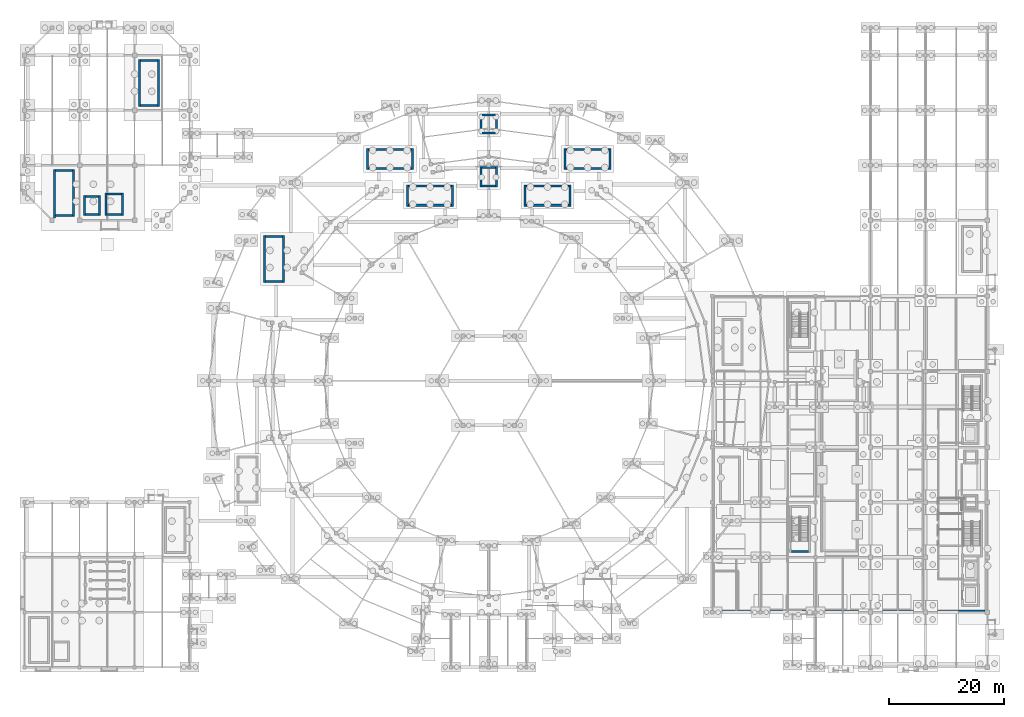
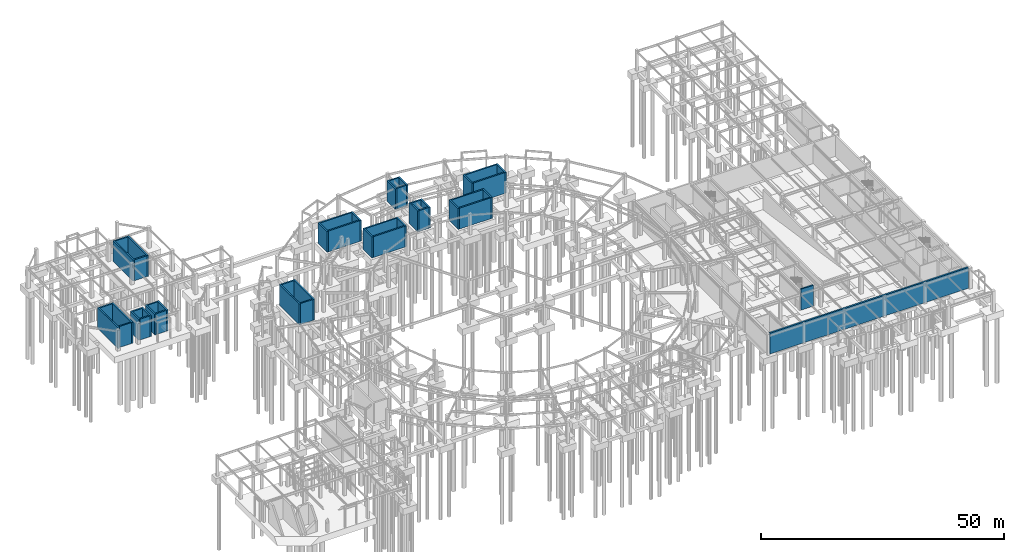
# One storey, part 47 of 55: 46 walls.
"""IFC4 building model written with IfcOpenShell, lengths in metres."""

from ifc_helpers import new_model, si_unit, direction, frame, frame_2d, origin, place, context, subcontext, project, spatial, rectangle, extrude, material, layer, layer_set, type_object, element, save


model = new_model("IFC4")

# Units and contexts
model_context = context("Model", 3, precision=1e-05, world=origin(), true_north=direction((0.0, 1.0)))
body_context = subcontext(model_context, "Body", "Model", "MODEL_VIEW")
ifc_project = project(units=[si_unit("LENGTHUNIT", "METRE"), si_unit("AREAUNIT", "SQUARE_METRE"), si_unit("VOLUMEUNIT", "CUBIC_METRE"), si_unit("PLANEANGLEUNIT", "RADIAN"), si_unit("MASSUNIT", "GRAM", prefix="KILO")], contexts=[model_context])

# Site, building, storey
site_placement = place(None, origin())
site = spatial("IfcSite", under=ifc_project, at=site_placement, CompositionType="ELEMENT")
building_placement = place(site_placement, origin())
building = spatial("IfcBuilding", under=site, at=building_placement, Name="Almandine Court Research Institute", CompositionType="ELEMENT")
storey_placement = place(building_placement, frame((0.0, 0.0, -5.25)))
storey = spatial("IfcBuildingStorey", under=building, at=storey_placement, Name="B1", CompositionType="ELEMENT", Elevation=-5.25)

# Walls
ifc_material = material(Name="Concrete C40/50", Category="concrete")
ifc_layer_1 = layer(ifc_material, 0.39990234375)
ifc_layer_set_1 = layer_set([ifc_layer_1], Name="Concrete C40/50")
wall_type_1 = type_object("IfcWallType", Name="Wall-RW-B1-400", PredefinedType="USERDEFINED", material=ifc_layer_set_1)
wall_1_placement = place(storey_placement, frame((173.60009765625, 15.800048828125, 0.0), z_axis=(0.0, 0.0, 1.0), x_axis=(-1.0, 0.0, 0.0)))
element("IfcWall", 1, at=wall_1_placement, inside=storey, type_object=wall_type_1, Name="B1 Basement Perimeter Retaining S Shear Wall", ObjectType="RETAINING WALL", PredefinedType="USERDEFINED", context=body_context, shape_type="SweptSolid", body=[
    extrude(rectangle(XDim=47.2001953125, YDim=0.39990234375, at=frame_2d((23.60009765625, 0.0))), origin(), (0.0, 0.0, 1.0), 5.25),
])
ifc_layer_2 = layer(ifc_material, 0.35009765625)
ifc_layer_set_2 = layer_set([ifc_layer_2], Name="Concrete C40/50")
wall_type_2 = type_object("IfcWallType", Name="Wall-SW-CORE-350", PredefinedType="SHEAR", material=ifc_layer_set_2)
wall_2_placement = place(storey_placement, frame((93.324951171875, 86.449951171875, 0.0), z_axis=(0.0, 0.0, 1.0), x_axis=(0.0, 1.0, 0.0)))
element("IfcWall", 2, at=wall_2_placement, inside=storey, type_object=wall_type_2, Name="B1 ST-03 Substructure W Shear Wall", PredefinedType="SHEAR", context=body_context, shape_type="SweptSolid", body=[
    extrude(rectangle(XDim=3.699951171875, YDim=0.35009765625, at=frame_2d((1.85009765625, 0.0))), origin(), (0.0, 0.0, 1.0), 5.25),
])
wall_3_placement = place(storey_placement, frame((93.5, 89.97509765625, 0.0), z_axis=(0.0, 0.0, 1.0), x_axis=(1.0, 0.0, 0.0)))
element("IfcWall", 3, at=wall_3_placement, inside=storey, type_object=wall_type_2, Name="B1 ST-03 Substructure N Shear Wall", PredefinedType="SHEAR", context=body_context, shape_type="SweptSolid", body=[
    extrude(rectangle(XDim=7.5, YDim=0.35009765625, at=frame_2d((3.75, 0.0))), origin(), (0.0, 0.0, 1.0), 5.25),
])
wall_4_placement = place(storey_placement, frame((101.175048828125, 90.14990234375, 0.0), z_axis=(0.0, 0.0, 1.0), x_axis=(0.0, -1.0, 0.0)))
element("IfcWall", 4, at=wall_4_placement, inside=storey, type_object=wall_type_2, Name="B1 ST-03 Substructure E Shear Wall", PredefinedType="SHEAR", context=body_context, shape_type="SweptSolid", body=[
    extrude(rectangle(XDim=3.699951171875, YDim=0.35009765625, at=frame_2d((1.85009765625, 0.0))), origin(), (0.0, 0.0, 1.0), 5.25),
])
wall_5_placement = place(storey_placement, frame((101.0, 86.625, 0.0), z_axis=(0.0, 0.0, 1.0), x_axis=(-1.0, 0.0, 0.0)))
element("IfcWall", 5, at=wall_5_placement, inside=storey, type_object=wall_type_2, Name="B1 ST-03 Substructure S Shear Wall", PredefinedType="SHEAR", context=body_context, shape_type="SweptSolid", body=[
    extrude(rectangle(XDim=7.5, YDim=0.35009765625, at=frame_2d((3.75, 0.0))), origin(), (0.0, 0.0, 1.0), 5.25),
])
wall_6_placement = place(storey_placement, frame((72.824951171875, 86.449951171875, 0.0), z_axis=(0.0, 0.0, 1.0), x_axis=(0.0, 1.0, 0.0)))
element("IfcWall", 6, at=wall_6_placement, inside=storey, type_object=wall_type_2, Name="B1 ST-04 Substructure W Shear Wall", PredefinedType="SHEAR", context=body_context, shape_type="SweptSolid", body=[
    extrude(rectangle(XDim=3.699951171875, YDim=0.35009765625, at=frame_2d((1.85009765625, 0.0))), origin(), (0.0, 0.0, 1.0), 5.25),
])
wall_7_placement = place(storey_placement, frame((73.0, 89.97509765625, 0.0), z_axis=(0.0, 0.0, 1.0), x_axis=(1.0, 0.0, 0.0)))
element("IfcWall", 7, at=wall_7_placement, inside=storey, type_object=wall_type_2, Name="B1 ST-04 Substructure N Shear Wall", PredefinedType="SHEAR", context=body_context, shape_type="SweptSolid", body=[
    extrude(rectangle(XDim=7.5, YDim=0.35009765625, at=frame_2d((3.75, 0.0))), origin(), (0.0, 0.0, 1.0), 5.25),
])
wall_8_placement = place(storey_placement, frame((80.675048828125, 90.14990234375, 0.0), z_axis=(0.0, 0.0, 1.0), x_axis=(0.0, -1.0, 0.0)))
element("IfcWall", 8, at=wall_8_placement, inside=storey, type_object=wall_type_2, Name="B1 ST-04 Substructure E Shear Wall", PredefinedType="SHEAR", context=body_context, shape_type="SweptSolid", body=[
    extrude(rectangle(XDim=3.699951171875, YDim=0.35009765625, at=frame_2d((1.85009765625, 0.0))), origin(), (0.0, 0.0, 1.0), 5.25),
])
wall_9_placement = place(storey_placement, frame((80.5, 86.625, 0.0), z_axis=(0.0, 0.0, 1.0), x_axis=(-1.0, 0.0, 0.0)))
element("IfcWall", 9, at=wall_9_placement, inside=storey, type_object=wall_type_2, Name="B1 ST-04 Substructure S Shear Wall", PredefinedType="SHEAR", context=body_context, shape_type="SweptSolid", body=[
    extrude(rectangle(XDim=7.5, YDim=0.35009765625, at=frame_2d((3.75, 0.0))), origin(), (0.0, 0.0, 1.0), 5.25),
])
wall_10_placement = place(storey_placement, frame((11.22509765625, 84.375, 0.0), z_axis=(0.0, 0.0, 1.0), x_axis=(0.0, 1.0, 0.0)))
element("IfcWall", 10, at=wall_10_placement, inside=storey, type_object=wall_type_2, Name="B1 ST-05 Substructure W Shear Wall", PredefinedType="SHEAR", context=body_context, shape_type="SweptSolid", body=[
    extrude(rectangle(XDim=8.47509765625, YDim=0.35009765625, at=frame_2d((4.237548828125, 0.0))), origin(), (0.0, 0.0, 1.0), 5.25),
])
wall_11_placement = place(storey_placement, frame((11.39990234375, 92.675048828125, 0.0), z_axis=(0.0, 0.0, 1.0), x_axis=(1.0, 0.0, 0.0)))
element("IfcWall", 11, at=wall_11_placement, inside=storey, type_object=wall_type_2, Name="B1 ST-05 Substructure N Shear Wall", PredefinedType="SHEAR", context=body_context, shape_type="SweptSolid", body=[
    extrude(rectangle(XDim=3.0, YDim=0.35009765625, at=frame_2d((1.5, 0.0))), origin(), (0.0, 0.0, 1.0), 5.25),
])
wall_12_placement = place(storey_placement, frame((14.574951171875, 92.85009765625, 0.0), z_axis=(0.0, 0.0, 1.0), x_axis=(0.0, -1.0, 0.0)))
element("IfcWall", 12, at=wall_12_placement, inside=storey, type_object=wall_type_2, Name="B1 ST-05 Substructure E Shear Wall", PredefinedType="SHEAR", context=body_context, shape_type="SweptSolid", body=[
    extrude(rectangle(XDim=8.2001953125, YDim=0.35009765625, at=frame_2d((4.10009765625, 0.0))), origin(), (0.0, 0.0, 1.0), 5.25),
])
wall_13_placement = place(storey_placement, frame((14.39990234375, 84.824951171875, 0.0), z_axis=(0.0, 0.0, 1.0), x_axis=(-1.0, 0.0, 0.0)))
element("IfcWall", 13, at=wall_13_placement, inside=storey, type_object=wall_type_2, Name="B1 ST-05 Substructure S Shear Wall", PredefinedType="SHEAR", context=body_context, shape_type="SweptSolid", body=[
    extrude(rectangle(XDim=3.0, YDim=0.35009765625, at=frame_2d((1.5, 0.0))), origin(), (0.0, 0.0, 1.0), 5.25),
])
wall_14_placement = place(storey_placement, frame((26.02490234375, 103.85009765625, 0.0), z_axis=(0.0, 0.0, 1.0), x_axis=(0.0, 1.0, 0.0)))
element("IfcWall", 14, at=wall_14_placement, inside=storey, type_object=wall_type_2, Name="B1 ST-06 Substructure W Shear Wall", PredefinedType="SHEAR", context=body_context, shape_type="SweptSolid", body=[
    extrude(rectangle(XDim=8.199951171875, YDim=0.35009765625, at=frame_2d((4.10009765625, 0.0))), origin(), (0.0, 0.0, 1.0), 5.25),
])
wall_15_placement = place(storey_placement, frame((26.199951171875, 111.875, 0.0), z_axis=(0.0, 0.0, 1.0), x_axis=(1.0, 0.0, 0.0)))
element("IfcWall", 15, at=wall_15_placement, inside=storey, type_object=wall_type_2, Name="B1 ST-06 Substructure N Shear Wall", PredefinedType="SHEAR", context=body_context, shape_type="SweptSolid", body=[
    extrude(rectangle(XDim=3.0, YDim=0.35009765625, at=frame_2d((1.5, 0.0))), origin(), (0.0, 0.0, 1.0), 5.25),
])
wall_16_placement = place(storey_placement, frame((29.375, 112.050048828125, 0.0), z_axis=(0.0, 0.0, 1.0), x_axis=(0.0, -1.0, 0.0)))
element("IfcWall", 16, at=wall_16_placement, inside=storey, type_object=wall_type_2, Name="B1 ST-06 Substructure E Shear Wall", PredefinedType="SHEAR", context=body_context, shape_type="SweptSolid", body=[
    extrude(rectangle(XDim=8.199951171875, YDim=0.35009765625, at=frame_2d((4.10009765625, 0.0))), origin(), (0.0, 0.0, 1.0), 5.25),
])
wall_17_placement = place(storey_placement, frame((29.199951171875, 104.02490234375, 0.0), z_axis=(0.0, 0.0, 1.0), x_axis=(-1.0, 0.0, 0.0)))
element("IfcWall", 17, at=wall_17_placement, inside=storey, type_object=wall_type_2, Name="B1 ST-06 Substructure S Shear Wall", PredefinedType="SHEAR", context=body_context, shape_type="SweptSolid", body=[
    extrude(rectangle(XDim=3.0, YDim=0.35009765625, at=frame_2d((1.5, 0.0))), origin(), (0.0, 0.0, 1.0), 5.25),
])
wall_18_placement = place(storey_placement, frame((100.324951171875, 92.85009765625, 0.0), z_axis=(0.0, 0.0, 1.0), x_axis=(0.0, 1.0, 0.0)))
element("IfcWall", 18, at=wall_18_placement, inside=storey, type_object=wall_type_2, Name="B1 ST-09 Substructure W Shear Wall", PredefinedType="SHEAR", context=body_context, shape_type="SweptSolid", body=[
    extrude(rectangle(XDim=3.699951171875, YDim=0.35009765625, at=frame_2d((1.85009765625, 0.0))), origin(), (0.0, 0.0, 1.0), 5.25),
])
wall_19_placement = place(storey_placement, frame((100.5, 96.375, 0.0), z_axis=(0.0, 0.0, 1.0), x_axis=(1.0, 0.0, 0.0)))
element("IfcWall", 19, at=wall_19_placement, inside=storey, type_object=wall_type_2, Name="B1 ST-09 Substructure N Shear Wall", PredefinedType="SHEAR", context=body_context, shape_type="SweptSolid", body=[
    extrude(rectangle(XDim=7.5, YDim=0.35009765625, at=frame_2d((3.75, 0.0))), origin(), (0.0, 0.0, 1.0), 5.25),
])
wall_20_placement = place(storey_placement, frame((108.175048828125, 96.550048828125, 0.0), z_axis=(0.0, 0.0, 1.0), x_axis=(0.0, -1.0, 0.0)))
element("IfcWall", 20, at=wall_20_placement, inside=storey, type_object=wall_type_2, Name="B1 ST-09 Substructure E Shear Wall", PredefinedType="SHEAR", context=body_context, shape_type="SweptSolid", body=[
    extrude(rectangle(XDim=3.699951171875, YDim=0.35009765625, at=frame_2d((1.85009765625, 0.0))), origin(), (0.0, 0.0, 1.0), 5.25),
])
wall_21_placement = place(storey_placement, frame((108.0, 93.02490234375, 0.0), z_axis=(0.0, 0.0, 1.0), x_axis=(-1.0, 0.0, 0.0)))
element("IfcWall", 21, at=wall_21_placement, inside=storey, type_object=wall_type_2, Name="B1 ST-09 Substructure S Shear Wall", PredefinedType="SHEAR", context=body_context, shape_type="SweptSolid", body=[
    extrude(rectangle(XDim=7.5, YDim=0.35009765625, at=frame_2d((3.75, 0.0))), origin(), (0.0, 0.0, 1.0), 5.25),
])
wall_22_placement = place(storey_placement, frame((65.824951171875, 92.85009765625, 0.0), z_axis=(0.0, 0.0, 1.0), x_axis=(0.0, 1.0, 0.0)))
element("IfcWall", 22, at=wall_22_placement, inside=storey, type_object=wall_type_2, Name="B1 ST-10 Substructure W Shear Wall", PredefinedType="SHEAR", context=body_context, shape_type="SweptSolid", body=[
    extrude(rectangle(XDim=3.699951171875, YDim=0.35009765625, at=frame_2d((1.85009765625, 0.0))), origin(), (0.0, 0.0, 1.0), 5.25),
])
wall_23_placement = place(storey_placement, frame((66.0, 96.375, 0.0), z_axis=(0.0, 0.0, 1.0), x_axis=(1.0, 0.0, 0.0)))
element("IfcWall", 23, at=wall_23_placement, inside=storey, type_object=wall_type_2, Name="B1 ST-10 Substructure N Shear Wall", PredefinedType="SHEAR", context=body_context, shape_type="SweptSolid", body=[
    extrude(rectangle(XDim=7.5, YDim=0.35009765625, at=frame_2d((3.75, 0.0))), origin(), (0.0, 0.0, 1.0), 5.25),
])
wall_24_placement = place(storey_placement, frame((73.675048828125, 96.550048828125, 0.0), z_axis=(0.0, 0.0, 1.0), x_axis=(0.0, -1.0, 0.0)))
element("IfcWall", 24, at=wall_24_placement, inside=storey, type_object=wall_type_2, Name="B1 ST-10 Substructure E Shear Wall", PredefinedType="SHEAR", context=body_context, shape_type="SweptSolid", body=[
    extrude(rectangle(XDim=3.699951171875, YDim=0.35009765625, at=frame_2d((1.85009765625, 0.0))), origin(), (0.0, 0.0, 1.0), 5.25),
])
wall_25_placement = place(storey_placement, frame((73.5, 93.02490234375, 0.0), z_axis=(0.0, 0.0, 1.0), x_axis=(-1.0, 0.0, 0.0)))
element("IfcWall", 25, at=wall_25_placement, inside=storey, type_object=wall_type_2, Name="B1 ST-10 Substructure S Shear Wall", PredefinedType="SHEAR", context=body_context, shape_type="SweptSolid", body=[
    extrude(rectangle(XDim=7.5, YDim=0.35009765625, at=frame_2d((3.75, 0.0))), origin(), (0.0, 0.0, 1.0), 5.25),
])
wall_26_placement = place(storey_placement, frame((47.824951171875, 73.14990234375, 0.0), z_axis=(0.0, 0.0, 1.0), x_axis=(0.0, 1.0, 0.0)))
element("IfcWall", 26, at=wall_26_placement, inside=storey, type_object=wall_type_2, Name="B1 ST-15 Substructure W Shear Wall", PredefinedType="SHEAR", context=body_context, shape_type="SweptSolid", body=[
    extrude(rectangle(XDim=8.2001953125, YDim=0.35009765625, at=frame_2d((4.10009765625, 0.0))), origin(), (0.0, 0.0, 1.0), 5.25),
])
wall_27_placement = place(storey_placement, frame((48.0, 81.175048828125, 0.0), z_axis=(0.0, 0.0, 1.0), x_axis=(1.0, 0.0, 0.0)))
element("IfcWall", 27, at=wall_27_placement, inside=storey, type_object=wall_type_2, Name="B1 ST-15 Substructure N Shear Wall", PredefinedType="SHEAR", context=body_context, shape_type="SweptSolid", body=[
    extrude(rectangle(XDim=3.0, YDim=0.35009765625, at=frame_2d((1.5, 0.0))), origin(), (0.0, 0.0, 1.0), 5.25),
])
wall_28_placement = place(storey_placement, frame((51.175048828125, 81.35009765625, 0.0), z_axis=(0.0, 0.0, 1.0), x_axis=(0.0, -1.0, 0.0)))
element("IfcWall", 28, at=wall_28_placement, inside=storey, type_object=wall_type_2, Name="B1 ST-15 Substructure E Shear Wall", PredefinedType="SHEAR", context=body_context, shape_type="SweptSolid", body=[
    extrude(rectangle(XDim=8.2001953125, YDim=0.35009765625, at=frame_2d((4.10009765625, 0.0))), origin(), (0.0, 0.0, 1.0), 5.25),
])
for number, where, z_axis, x_axis, name in (
    (29, (51.0, 73.324951171875, 0.0), (0.0, 0.0, 1.0), (-1.0, 0.0, 0.0), "B1 ST-15 Substructure S Shear Wall"),
    (30, (142.800048828125, 26.22509765625, 0.0), (0.0, 0.0, 1.0), (-1.0, 0.0, 0.0), "B1 ST-11 S Shear Wall"),
):
    element("IfcWall", number, at=place(storey_placement, frame(where, z_axis=z_axis, x_axis=x_axis)), inside=storey, type_object=wall_type_2, Name=name, PredefinedType="SHEAR", context=body_context, shape_type="SweptSolid", body=[
        extrude(rectangle(XDim=3.0, YDim=0.35009765625, at=frame_2d((1.5, 0.0))), origin(), (0.0, 0.0, 1.0), 5.25),
    ])
wall_29_placement = place(storey_placement, frame((16.425048828125, 84.85009765625, 0.0), z_axis=(0.0, 0.0, 1.0), x_axis=(0.0, 1.0, 0.0)))
element("IfcWall", 31, at=wall_29_placement, inside=storey, type_object=wall_type_2, Name="B1 PL-02 Substructure W Shear Wall", PredefinedType="SHEAR", context=body_context, shape_type="SweptSolid", body=[
    extrude(rectangle(XDim=3.5, YDim=0.35009765625, at=frame_2d((1.75, 0.0))), origin(), (0.0, 0.0, 1.0), 5.25),
])
wall_30_placement = place(storey_placement, frame((16.60009765625, 88.175048828125, 0.0), z_axis=(0.0, 0.0, 1.0), x_axis=(1.0, 0.0, 0.0)))
element("IfcWall", 32, at=wall_30_placement, inside=storey, type_object=wall_type_2, Name="B1 PL-02 Substructure N Shear Wall", PredefinedType="SHEAR", context=body_context, shape_type="SweptSolid", body=[
    extrude(rectangle(XDim=2.2998046875, YDim=0.35009765625, at=frame_2d((1.14990234375, 0.0))), origin(), (0.0, 0.0, 1.0), 5.25),
])
wall_31_placement = place(storey_placement, frame((19.074951171875, 88.35009765625, 0.0), z_axis=(0.0, 0.0, 1.0), x_axis=(0.0, -1.0, 0.0)))
element("IfcWall", 33, at=wall_31_placement, inside=storey, type_object=wall_type_2, Name="B1 PL-02 Substructure E Shear Wall", PredefinedType="SHEAR", context=body_context, shape_type="SweptSolid", body=[
    extrude(rectangle(XDim=3.5, YDim=0.35009765625, at=frame_2d((1.75, 0.0))), origin(), (0.0, 0.0, 1.0), 5.25),
])
wall_32_placement = place(storey_placement, frame((18.89990234375, 85.02490234375, 0.0), z_axis=(0.0, 0.0, 1.0), x_axis=(-1.0, 0.0, 0.0)))
element("IfcWall", 34, at=wall_32_placement, inside=storey, type_object=wall_type_2, Name="B1 PL-02 Substructure S Shear Wall", PredefinedType="SHEAR", context=body_context, shape_type="SweptSolid", body=[
    extrude(rectangle(XDim=2.2998046875, YDim=0.35009765625, at=frame_2d((1.14990234375, 0.0))), origin(), (0.0, 0.0, 1.0), 5.25),
])
wall_33_placement = place(storey_placement, frame((20.22509765625, 84.85009765625, 0.0), z_axis=(0.0, 0.0, 1.0), x_axis=(0.0, 1.0, 0.0)))
element("IfcWall", 35, at=wall_33_placement, inside=storey, type_object=wall_type_2, Name="B1 GL-02 Substructure W Shear Wall", PredefinedType="SHEAR", context=body_context, shape_type="SweptSolid", body=[
    extrude(rectangle(XDim=3.89990234375, YDim=0.35009765625, at=frame_2d((1.949951171875, 0.0))), origin(), (0.0, 0.0, 1.0), 5.25),
])
wall_34_placement = place(storey_placement, frame((20.39990234375, 88.574951171875, 0.0), z_axis=(0.0, 0.0, 1.0), x_axis=(1.0, 0.0, 0.0)))
element("IfcWall", 36, at=wall_34_placement, inside=storey, type_object=wall_type_2, Name="B1 GL-02 Substructure N Shear Wall", PredefinedType="SHEAR", context=body_context, shape_type="SweptSolid", body=[
    extrude(rectangle(XDim=2.5, YDim=0.35009765625, at=frame_2d((1.25, 0.0))), origin(), (0.0, 0.0, 1.0), 5.25),
])
wall_35_placement = place(storey_placement, frame((23.074951171875, 88.75, 0.0), z_axis=(0.0, 0.0, 1.0), x_axis=(0.0, -1.0, 0.0)))
element("IfcWall", 37, at=wall_35_placement, inside=storey, type_object=wall_type_2, Name="B1 GL-02 Substructure E Shear Wall", PredefinedType="SHEAR", context=body_context, shape_type="SweptSolid", body=[
    extrude(rectangle(XDim=3.89990234375, YDim=0.35009765625, at=frame_2d((1.949951171875, 0.0))), origin(), (0.0, 0.0, 1.0), 5.25),
])
wall_36_placement = place(storey_placement, frame((22.89990234375, 85.02490234375, 0.0), z_axis=(0.0, 0.0, 1.0), x_axis=(-1.0, 0.0, 0.0)))
element("IfcWall", 38, at=wall_36_placement, inside=storey, type_object=wall_type_2, Name="B1 GL-02 Substructure S Shear Wall", PredefinedType="SHEAR", context=body_context, shape_type="SweptSolid", body=[
    extrude(rectangle(XDim=2.5, YDim=0.35009765625, at=frame_2d((1.25, 0.0))), origin(), (0.0, 0.0, 1.0), 5.25),
])
wall_37_placement = place(storey_placement, frame((85.675048828125, 89.85009765625, 0.0), z_axis=(0.0, 0.0, 1.0), x_axis=(0.0, 1.0, 0.0)))
element("IfcWall", 39, at=wall_37_placement, inside=storey, type_object=wall_type_2, Name="B1 PL-03 Substructure W Shear Wall", PredefinedType="SHEAR", context=body_context, shape_type="SweptSolid", body=[
    extrude(rectangle(XDim=3.5, YDim=0.35009765625, at=frame_2d((1.75, 0.0))), origin(), (0.0, 0.0, 1.0), 5.25),
])
wall_38_placement = place(storey_placement, frame((85.85009765625, 93.175048828125, 0.0), z_axis=(0.0, 0.0, 1.0), x_axis=(1.0, 0.0, 0.0)))
element("IfcWall", 40, at=wall_38_placement, inside=storey, type_object=wall_type_2, Name="B1 PL-03 Substructure N Shear Wall", PredefinedType="SHEAR", context=body_context, shape_type="SweptSolid", body=[
    extrude(rectangle(XDim=2.2998046875, YDim=0.35009765625, at=frame_2d((1.14990234375, 0.0))), origin(), (0.0, 0.0, 1.0), 5.25),
])
wall_39_placement = place(storey_placement, frame((88.324951171875, 93.35009765625, 0.0), z_axis=(0.0, 0.0, 1.0), x_axis=(0.0, -1.0, 0.0)))
element("IfcWall", 41, at=wall_39_placement, inside=storey, type_object=wall_type_2, Name="B1 PL-03 Substructure E Shear Wall", PredefinedType="SHEAR", context=body_context, shape_type="SweptSolid", body=[
    extrude(rectangle(XDim=3.5, YDim=0.35009765625, at=frame_2d((1.75, 0.0))), origin(), (0.0, 0.0, 1.0), 5.25),
])
wall_40_placement = place(storey_placement, frame((88.14990234375, 90.02490234375, 0.0), z_axis=(0.0, 0.0, 1.0), x_axis=(-1.0, 0.0, 0.0)))
element("IfcWall", 42, at=wall_40_placement, inside=storey, type_object=wall_type_2, Name="B1 PL-03 Substructure S Shear Wall", PredefinedType="SHEAR", context=body_context, shape_type="SweptSolid", body=[
    extrude(rectangle(XDim=2.2998046875, YDim=0.35009765625, at=frame_2d((1.14990234375, 0.0))), origin(), (0.0, 0.0, 1.0), 5.25),
])
wall_41_placement = place(storey_placement, frame((85.675048828125, 99.050048828125, 0.0), z_axis=(0.0, 0.0, 1.0), x_axis=(0.0, 1.0, 0.0)))
element("IfcWall", 43, at=wall_41_placement, inside=storey, type_object=wall_type_2, Name="B1 PL-04 Substructure W Shear Wall", PredefinedType="SHEAR", context=body_context, shape_type="SweptSolid", body=[
    extrude(rectangle(XDim=3.5, YDim=0.35009765625, at=frame_2d((1.75, 0.0))), origin(), (0.0, 0.0, 1.0), 5.25),
])
wall_42_placement = place(storey_placement, frame((85.85009765625, 102.375, 0.0), z_axis=(0.0, 0.0, 1.0), x_axis=(1.0, 0.0, 0.0)))
element("IfcWall", 44, at=wall_42_placement, inside=storey, type_object=wall_type_2, Name="B1 PL-04 Substructure N Shear Wall", PredefinedType="SHEAR", context=body_context, shape_type="SweptSolid", body=[
    extrude(rectangle(XDim=2.2998046875, YDim=0.35009765625, at=frame_2d((1.14990234375, 0.0))), origin(), (0.0, 0.0, 1.0), 5.25),
])
wall_43_placement = place(storey_placement, frame((88.324951171875, 102.550048828125, 0.0), z_axis=(0.0, 0.0, 1.0), x_axis=(0.0, -1.0, 0.0)))
element("IfcWall", 45, at=wall_43_placement, inside=storey, type_object=wall_type_2, Name="B1 PL-04 Substructure E Shear Wall", PredefinedType="SHEAR", context=body_context, shape_type="SweptSolid", body=[
    extrude(rectangle(XDim=3.5, YDim=0.35009765625, at=frame_2d((1.75, 0.0))), origin(), (0.0, 0.0, 1.0), 5.25),
])
wall_44_placement = place(storey_placement, frame((88.14990234375, 99.22509765625, 0.0), z_axis=(0.0, 0.0, 1.0), x_axis=(-1.0, 0.0, 0.0)))
element("IfcWall", 46, at=wall_44_placement, inside=storey, type_object=wall_type_2, Name="B1 PL-04 Substructure S Shear Wall", PredefinedType="SHEAR", context=body_context, shape_type="SweptSolid", body=[
    extrude(rectangle(XDim=2.2998046875, YDim=0.35009765625, at=frame_2d((1.14990234375, 0.0))), origin(), (0.0, 0.0, 1.0), 5.25),
])

save(model, "model.ifc")
